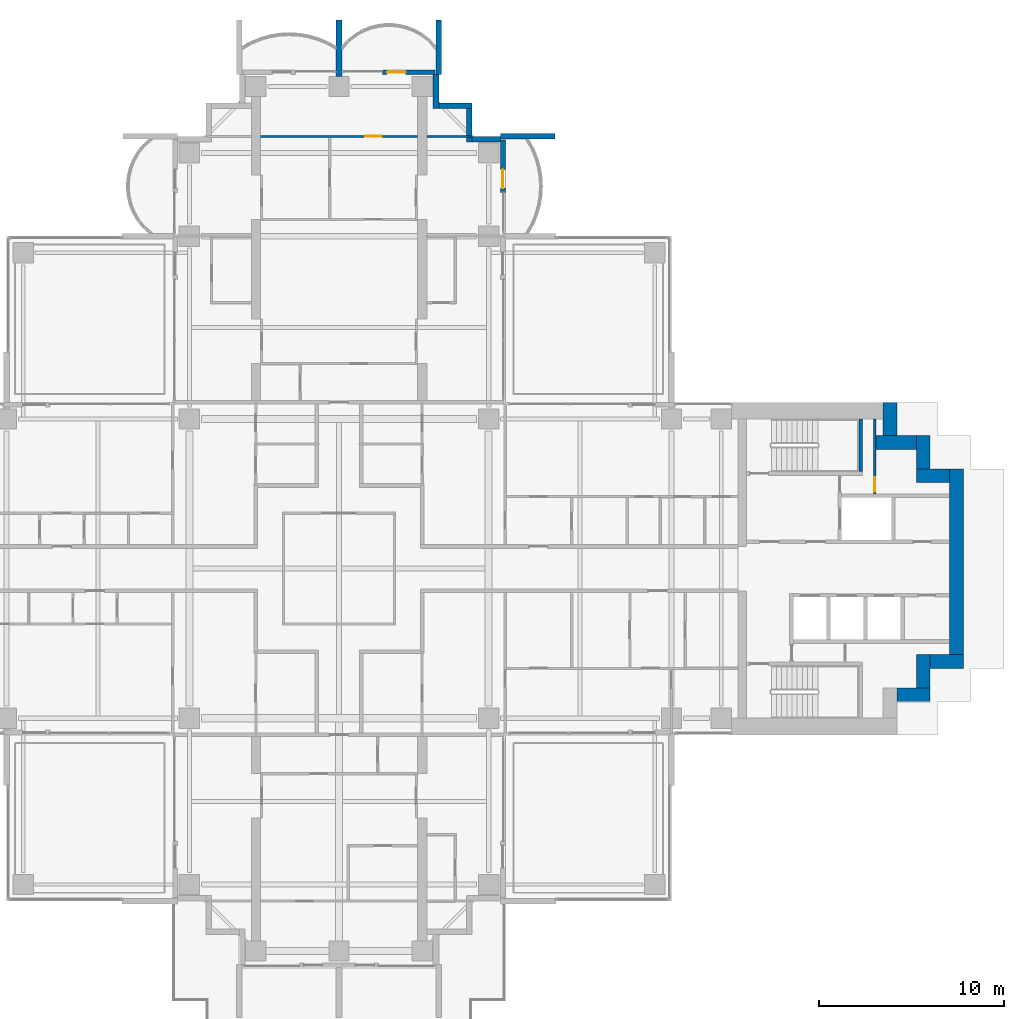
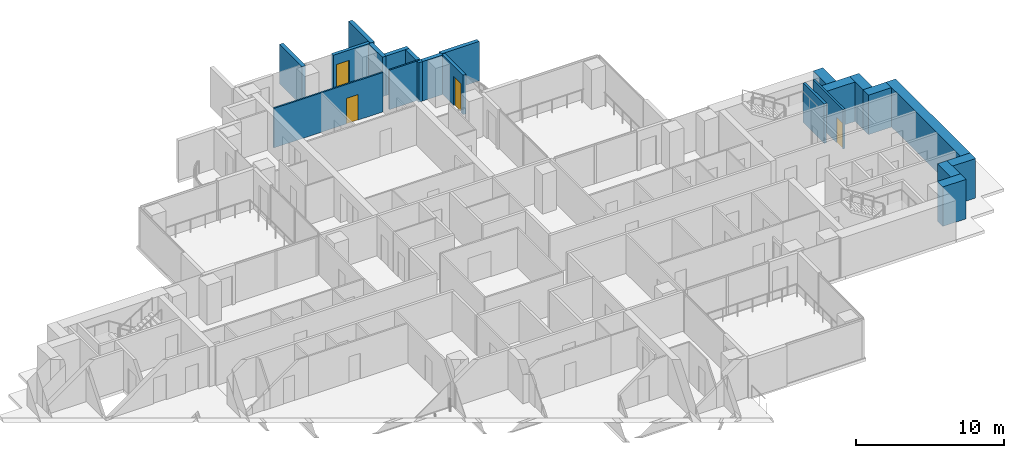
# One storey, part 16 of 20: 21 walls, 4 doors, 4 openings.
"""IFC4 building model written with IfcOpenShell, lengths in metres."""

from ifc_helpers import new_model, si_unit, direction, frame, frame_2d, origin, place, context, subcontext, project, spatial, rectangle, extrude, material, layer, layer_set, type_object, element, fill, save


model = new_model("IFC4")

# Units and contexts
model_context = context("Model", 3, precision=1e-05, world=origin(), true_north=direction((0.0, 1.0)))
body_context = subcontext(model_context, "Body", "Model", "MODEL_VIEW")
ifc_project = project(units=[si_unit("LENGTHUNIT", "METRE"), si_unit("AREAUNIT", "SQUARE_METRE"), si_unit("VOLUMEUNIT", "CUBIC_METRE"), si_unit("PLANEANGLEUNIT", "RADIAN"), si_unit("MASSUNIT", "GRAM", prefix="KILO")], contexts=[model_context])

# Site, building, storey
site_placement = place(None, origin())
site = spatial("IfcSite", under=ifc_project, at=site_placement, CompositionType="ELEMENT")
building_placement = place(site_placement, origin())
building = spatial("IfcBuilding", under=site, at=building_placement, Name="Perihelion Cross Residences", CompositionType="ELEMENT")
storey_placement = place(building_placement, frame((0.0, 0.0, 102.39990234375)))
storey = spatial("IfcBuildingStorey", under=building, at=storey_placement, Name="L23", CompositionType="ELEMENT", Elevation=102.39990234375)

# Wall, opening, door
ifc_material_1 = material(Name="Concrete C30/37, bronze-clad", Category="concrete")
ifc_layer_1 = layer(ifc_material_1, 0.25)
ifc_layer_set_1 = layer_set([ifc_layer_1], Name="Bronze-clad pier wall 250")
wall_type_1 = type_object("IfcWallType", Name="Bronze-clad pier wall 250", PredefinedType="SOLIDWALL", material=ifc_layer_set_1)
wall_1_placement = place(storey_placement, frame((8.875, 20.35009765625, 0.0), z_axis=(0.0, 0.0, 1.0), x_axis=(0.0, 1.0, 0.0)))
wall_1 = element("IfcWall", 1, at=wall_1_placement, inside=storey, type_object=wall_type_1, Name="Wall FW1 L23 north side east bay 2 pier", PredefinedType="SOLIDWALL", context=body_context, shape_type="SweptSolid", body=[
    extrude(rectangle(XDim=2.849853515625, YDim=0.25, at=frame_2d((1.4248046875, 0.0))), origin(), (0.0, 0.0, 1.0), 3.25),
])
opening_1_placement = place(wall_1_placement, frame((0.25, 0.0, 0.0)))
opening_1 = element("IfcOpeningElement", 2, at=opening_1_placement, cuts=wall_1, Name="Opening L23.E03", PredefinedType="OPENING", context=body_context, shape_type="SweptSolid", body=[
    extrude(rectangle(XDim=1.0, YDim=2.39990234375, at=frame_2d((0.5, 1.199951171875))), frame((0.0, 0.135009765625, 0.0), z_axis=(0.0, -1.0, 0.0), x_axis=(1.0, 0.0, 0.0)), (0.0, 0.0, 1.0), 0.27001953125),
])
ifc_material_2 = material(Name="Bronze anodised aluminium, glazed", Category="aluminium")
door_type_1 = type_object("IfcDoorType", Name="Balcony door 1000 x 2400", OperationType="NOTDEFINED", PredefinedType="DOOR", material=ifc_material_2)
door_1_placement = place(opening_1_placement, origin())
door_1 = element("IfcDoor", 3, at=door_1_placement, inside=storey, type_object=door_type_1, Name="Door L23.E03 north side east bay 2", OperationType="SINGLE_SWING_RIGHT", OverallHeight=2.39990234375, OverallWidth=1.0, PredefinedType="DOOR", context=body_context, shape_type="SweptSolid", body=[
    extrude(rectangle(XDim=1.0, YDim=2.39990234375, at=frame_2d((0.5, 1.199951171875))), frame((0.0, 0.02490234375, 0.0), z_axis=(0.0, -1.0, 0.0), x_axis=(1.0, 0.0, 0.0)), (0.0, 0.0, 1.0), 0.050048828125),
])
fill(opening_1, door_1)

wall_2_placement = place(storey_placement, frame((5.199951171875, 26.875, 0.0), z_axis=(0.0, 0.0, 1.0), x_axis=(-1.0, 0.0, 0.0)))
wall_2 = element("IfcWall", 4, at=wall_2_placement, inside=storey, type_object=wall_type_1, Name="Wall FW1 L23 north tip north bay 1 pier", PredefinedType="SOLIDWALL", context=body_context, shape_type="SweptSolid", body=[
    extrude(rectangle(XDim=2.849853515625, YDim=0.25, at=frame_2d((1.4248046875, 0.0))), origin(), (0.0, 0.0, 1.0), 3.25),
])
opening_2_placement = place(wall_2_placement, frame((1.60009765625, 0.0, 0.0)))
opening_2 = element("IfcOpeningElement", 5, at=opening_2_placement, cuts=wall_2, Name="Opening L23.E04", PredefinedType="OPENING", context=body_context, shape_type="SweptSolid", body=[
    extrude(rectangle(XDim=1.0, YDim=2.39990234375, at=frame_2d((0.5, 1.199951171875))), frame((0.0, 0.135009765625, 0.0), z_axis=(0.0, -1.0, 0.0), x_axis=(1.0, 0.0, 0.0)), (0.0, 0.0, 1.0), 0.27001953125),
])
door_2_placement = place(opening_2_placement, origin())
door_2 = element("IfcDoor", 6, at=door_2_placement, inside=storey, type_object=door_type_1, Name="Door L23.E04 north tip north bay 1", OperationType="SINGLE_SWING_LEFT", OverallHeight=2.39990234375, OverallWidth=1.0, PredefinedType="DOOR", context=body_context, shape_type="SweptSolid", body=[
    extrude(rectangle(XDim=1.0, YDim=2.39990234375, at=frame_2d((0.5, 1.199951171875))), frame((0.0, 0.02490234375, 0.0), z_axis=(0.0, -1.0, 0.0), x_axis=(1.0, 0.0, 0.0)), (0.0, 0.0, 1.0), 0.050048828125),
])
fill(opening_2, door_2)

# Walls
ifc_material_3 = material(Name="Concrete C30/37, bronze-clad", Category="concrete")
ifc_layer_2 = layer(ifc_material_3, 0.300048828125)
ifc_layer_set_2 = layer_set([ifc_layer_2], Name="Bronze-clad serration wall 300")
wall_type_2 = type_object("IfcWallType", Name="Bronze-clad serration wall 300", PredefinedType="SOLIDWALL", material=ifc_layer_set_2)
wall_3_placement = place(storey_placement, frame((8.75, 23.25, 0.0), z_axis=(0.0, 0.0, 1.0), x_axis=(-1.0, 0.0, 0.0)))
element("IfcWall", 7, at=wall_3_placement, inside=storey, type_object=wall_type_2, Name="Wall SR1 L23 north corner north-east 1", PredefinedType="SOLIDWALL", context=body_context, shape_type="SweptSolid", body=[
    extrude(rectangle(XDim=1.550048828125, YDim=0.300048828125, at=frame_2d((0.77490234375, 0.0))), origin(), (0.0, 0.0, 1.0), 3.25),
])
wall_4_placement = place(storey_placement, frame((7.050048828125, 23.10009765625, 0.0), z_axis=(0.0, 0.0, 1.0), x_axis=(0.0, 1.0, 0.0)))
element("IfcWall", 8, at=wall_4_placement, inside=storey, type_object=wall_type_2, Name="Wall SR1 L23 north corner north-east 2", PredefinedType="SOLIDWALL", context=body_context, shape_type="SweptSolid", body=[
    extrude(rectangle(XDim=1.7998046875, YDim=0.300048828125, at=frame_2d((0.89990234375, 0.0))), origin(), (0.0, 0.0, 1.0), 3.25),
])
wall_5_placement = place(storey_placement, frame((7.199951171875, 25.050048828125, 0.0), z_axis=(0.0, 0.0, 1.0), x_axis=(-1.0, 0.0, 0.0)))
element("IfcWall", 9, at=wall_5_placement, inside=storey, type_object=wall_type_2, Name="Wall SR1 L23 north corner north-east 3", PredefinedType="SOLIDWALL", context=body_context, shape_type="SweptSolid", body=[
    extrude(rectangle(XDim=1.800048828125, YDim=0.300048828125, at=frame_2d((0.89990234375, 0.0))), origin(), (0.0, 0.0, 1.0), 3.25),
])
wall_6_placement = place(storey_placement, frame((5.25, 24.89990234375, 0.0), z_axis=(0.0, 0.0, 1.0), x_axis=(0.0, 1.0, 0.0)))
element("IfcWall", 10, at=wall_6_placement, inside=storey, type_object=wall_type_2, Name="Wall SR1 L23 north corner north-east 4", PredefinedType="SOLIDWALL", context=body_context, shape_type="SweptSolid", body=[
    extrude(rectangle(XDim=1.85009765625, YDim=0.300048828125, at=frame_2d((0.925048828125, 0.0))), origin(), (0.0, 0.0, 1.0), 3.25),
])
ifc_material_4 = material(Name="Concrete C60/75", Category="concrete")
ifc_layer_3 = layer(ifc_material_4, 0.75)
ifc_layer_set_3 = layer_set([ifc_layer_3], Name="Core wall, outer 750")
wall_type_3 = type_object("IfcWallType", Name="Core wall, outer 750", PredefinedType="SHEAR", material=ifc_layer_set_3)
for number, where, z_axis, x_axis, name in (
    (11, (30.199951171875, -6.824951171875, 0.0), (0.0, 0.0, 1.0), (1.0, 0.0, 0.0), "East core core wall, outer"),
    (12, (31.625, -6.449951171875, 0.0), (0.0, 0.0, 1.0), (0.0, 1.0, 0.0), "East core core wall, outer"),
    (13, (32.0, -5.02490234375, 0.0), (0.0, 0.0, 1.0), (1.0, 0.0, 0.0), "East core core wall, outer"),
):
    element("IfcWall", number, at=place(storey_placement, frame(where, z_axis=z_axis, x_axis=x_axis)), inside=storey, type_object=wall_type_3, Name=name, PredefinedType="SHEAR", context=body_context, shape_type="SweptSolid", body=[
        extrude(rectangle(XDim=1.800048828125, YDim=0.75, at=frame_2d((0.89990234375, 0.0))), origin(), (0.0, 0.0, 1.0), 3.25),
    ])
wall_7_placement = place(storey_placement, frame((33.425048828125, -4.64990234375, 0.0), z_axis=(0.0, 0.0, 1.0), x_axis=(0.0, 1.0, 0.0)))
element("IfcWall", 14, at=wall_7_placement, inside=storey, type_object=wall_type_3, Name="East core core wall, outer", PredefinedType="SHEAR", context=body_context, shape_type="SweptSolid", body=[
    extrude(rectangle(XDim=10.0498046875, YDim=0.75, at=frame_2d((5.02490234375, 0.0))), origin(), (0.0, 0.0, 1.0), 3.25),
])
for number, where, z_axis, x_axis, name in (
    (15, (31.25, 5.02490234375, 0.0), (0.0, 0.0, 1.0), (1.0, 0.0, 0.0), "East core core wall, outer"),
    (16, (31.625, 5.39990234375, 0.0), (0.0, 0.0, 1.0), (0.0, 1.0, 0.0), "East core core wall, outer"),
):
    element("IfcWall", number, at=place(storey_placement, frame(where, z_axis=z_axis, x_axis=x_axis)), inside=storey, type_object=wall_type_3, Name=name, PredefinedType="SHEAR", context=body_context, shape_type="SweptSolid", body=[
        extrude(rectangle(XDim=1.800048828125, YDim=0.75, at=frame_2d((0.89990234375, 0.0))), origin(), (0.0, 0.0, 1.0), 3.25),
    ])
wall_8_placement = place(storey_placement, frame((29.074951171875, 6.824951171875, 0.0), z_axis=(0.0, 0.0, 1.0), x_axis=(1.0, 0.0, 0.0)))
element("IfcWall", 17, at=wall_8_placement, inside=storey, type_object=wall_type_3, Name="East core core wall, outer", PredefinedType="SHEAR", context=body_context, shape_type="SweptSolid", body=[
    extrude(rectangle(XDim=2.175048828125, YDim=0.75, at=frame_2d((1.08740234375, 0.0))), origin(), (0.0, 0.0, 1.0), 3.25),
])
wall_9_placement = place(storey_placement, frame((29.824951171875, 7.199951171875, 0.0), z_axis=(0.0, 0.0, 1.0), x_axis=(0.0, 1.0, 0.0)))
element("IfcWall", 18, at=wall_9_placement, inside=storey, type_object=wall_type_3, Name="East core core wall, outer", PredefinedType="SHEAR", context=body_context, shape_type="SweptSolid", body=[
    extrude(rectangle(XDim=1.800048828125, YDim=0.75, at=frame_2d((0.89990234375, 0.0))), origin(), (0.0, 0.0, 1.0), 3.25),
])

# Wall, opening, door
ifc_material_5 = material(Name="Plasterboard partition")
ifc_layer_4 = layer(ifc_material_5, 0.1201171875)
ifc_layer_set_4 = layer_set([ifc_layer_4], Name="Partition wall 120")
wall_type_4 = type_object("IfcWallType", Name="Partition wall 120", PredefinedType="PARTITIONING", material=ifc_layer_set_4)
wall_10_placement = place(storey_placement, frame((-4.25, 23.39990234375, 0.0), z_axis=(0.0, 0.0, 1.0), x_axis=(1.0, 0.0, 0.0)))
wall_10 = element("IfcWall", 19, at=wall_10_placement, inside=storey, type_object=wall_type_4, Name="Partition L23 W067", PredefinedType="PARTITIONING", context=body_context, shape_type="SweptSolid", body=[
    extrude(rectangle(XDim=8.5, YDim=0.1201171875, at=frame_2d((4.25, 0.0))), origin(), (0.0, 0.0, 1.0), 3.25),
])
opening_3_placement = place(wall_10_placement, frame((5.675048828125, 0.0, 0.0)))
opening_3 = element("IfcOpeningElement", 20, at=opening_3_placement, cuts=wall_10, Name="Opening L23.A37", PredefinedType="OPENING", context=body_context, shape_type="SweptSolid", body=[
    extrude(rectangle(XDim=0.89990234375, YDim=2.10009765625, at=frame_2d((0.449951171875, 1.050048828125))), frame((0.0, 0.070068359375, 0.0), z_axis=(0.0, -1.0, 0.0), x_axis=(1.0, 0.0, 0.0)), (0.0, 0.0, 1.0), 0.14013671875),
])
ifc_material_6 = material(Name="Timber door leaf", Category="wood")
door_type_2 = type_object("IfcDoorType", Name="Interior room door 900 x 2100", OperationType="SINGLE_SWING_LEFT", PredefinedType="DOOR", material=ifc_material_6)
door_3_placement = place(opening_3_placement, origin())
door_3 = element("IfcDoor", 21, at=door_3_placement, inside=storey, type_object=door_type_2, Name="Door L23.A37", OperationType="SINGLE_SWING_LEFT", OverallHeight=2.10009765625, OverallWidth=0.89990234375, PredefinedType="DOOR", context=body_context, shape_type="SweptSolid", body=[
    extrude(rectangle(XDim=0.89990234375, YDim=2.10009765625, at=frame_2d((0.449951171875, 1.050048828125))), frame((0.0, 0.02490234375, 0.0), z_axis=(0.0, -1.0, 0.0), x_axis=(1.0, 0.0, 0.0)), (0.0, 0.0, 1.0), 0.050048828125),
])
fill(opening_3, door_3)

# Walls
wall_11_placement = place(storey_placement, frame((4.75, 23.39990234375, 0.0), z_axis=(0.0, 0.0, 1.0), x_axis=(1.0, 0.0, 0.0)))
element("IfcWall", 22, at=wall_11_placement, inside=storey, type_object=wall_type_4, Name="Partition L23 W072", PredefinedType="PARTITIONING", context=body_context, shape_type="SweptSolid", body=[
    extrude(rectangle(XDim=2.3701171875, YDim=0.1201171875, at=frame_2d((1.18505859375, 0.0))), origin(), (0.0, 0.0, 1.0), 3.25),
])
ifc_material_7 = material(Name="Precast concrete C50/60", Category="concrete")
ifc_layer_5 = layer(ifc_material_7, 0.300048828125)
ifc_layer_set_5 = layer_set([ifc_layer_5], Name="Precast concrete C50/60 blade wall 300")
wall_type_5 = type_object("IfcWallType", Name="Precast concrete C50/60 blade wall 300", PredefinedType="SOLIDWALL", material=ifc_layer_set_5)
wall_12_placement = place(storey_placement, frame((0.0, 26.64990234375, 0.0), z_axis=(0.0, 0.0, 1.0), x_axis=(0.0, 1.0, 0.0)))
element("IfcWall", 23, at=wall_12_placement, inside=storey, type_object=wall_type_5, Name="Wall BL1 L23 no. 9", PredefinedType="SOLIDWALL", context=body_context, shape_type="SweptSolid", body=[
    extrude(rectangle(XDim=3.050048828125, YDim=0.300048828125, at=frame_2d((1.52490234375, 0.0))), origin(), (0.0, 0.0, 1.0), 3.25),
])
for number, where, z_axis, x_axis, name in (
    (24, (5.39990234375, 26.75, 0.0), (0.0, 0.0, 1.0), (0.0, 1.0, 0.0), "Wall BL1 L23 no. 13"),
    (25, (8.75, 23.39990234375, 0.0), (0.0, 0.0, 1.0), (1.0, 0.0, 0.0), "Wall BL1 L23 no. 16"),
):
    element("IfcWall", number, at=place(storey_placement, frame(where, z_axis=z_axis, x_axis=x_axis)), inside=storey, type_object=wall_type_5, Name=name, PredefinedType="SOLIDWALL", context=body_context, shape_type="SweptSolid", body=[
        extrude(rectangle(XDim=2.949951171875, YDim=0.300048828125, at=frame_2d((1.47509765625, 0.0))), origin(), (0.0, 0.0, 1.0), 3.25),
    ])

# Wall, opening, door
ifc_material_8 = material(Name="Fire-rated board on steel stud", Category="steel")
ifc_layer_6 = layer(ifc_material_8, 0.14990234375)
ifc_layer_set_6 = layer_set([ifc_layer_6], Name="Riser wall 150")
wall_type_6 = type_object("IfcWallType", Name="Riser wall 150", PredefinedType="PARTITIONING", material=ifc_layer_set_6)
wall_13_placement = place(storey_placement, frame((29.0, 4.050048828125, 0.0), z_axis=(0.0, 0.0, 1.0), x_axis=(0.0, 1.0, 0.0)))
wall_13 = element("IfcWall", 26, at=wall_13_placement, inside=storey, type_object=wall_type_6, Name="East core riser wall", PredefinedType="PARTITIONING", context=body_context, shape_type="SweptSolid", body=[
    extrude(rectangle(XDim=4.050048828125, YDim=0.14990234375, at=frame_2d((2.02490234375, 0.0))), origin(), (0.0, 0.0, 1.0), 3.25),
])
opening_4_placement = place(wall_13_placement, frame((0.10009765625, 0.0, 0.0)))
opening_4 = element("IfcOpeningElement", 27, at=opening_4_placement, cuts=wall_13, Name="Opening L23.C12", PredefinedType="OPENING", context=body_context, shape_type="SweptSolid", body=[
    extrude(rectangle(XDim=0.800048828125, YDim=2.10009765625, at=frame_2d((0.39990234375, 1.050048828125))), frame((0.0, 0.0849609375, 0.0), z_axis=(0.0, -1.0, 0.0), x_axis=(1.0, 0.0, 0.0)), (0.0, 0.0, 1.0), 0.169921875),
])
ifc_material_9 = material(Name="Steel, powder coated", Category="steel")
door_type_3 = type_object("IfcDoorType", Name="Riser door 800", OperationType="SINGLE_SWING_LEFT", PredefinedType="DOOR", material=ifc_material_9)
door_4_placement = place(opening_4_placement, origin())
door_4 = element("IfcDoor", 28, at=door_4_placement, inside=storey, type_object=door_type_3, Name="East core riser door", OperationType="SINGLE_SWING_LEFT", OverallHeight=2.10009765625, OverallWidth=0.800048828125, PredefinedType="DOOR", context=body_context, shape_type="SweptSolid", body=[
    extrude(rectangle(XDim=0.800048828125, YDim=2.10009765625, at=frame_2d((0.39990234375, 1.050048828125))), frame((0.0, 0.02490234375, 0.0), z_axis=(0.0, -1.0, 0.0), x_axis=(1.0, 0.0, 0.0)), (0.0, 0.0, 1.0), 0.050048828125),
])
fill(opening_4, door_4)

# Wall
ifc_material_10 = material(Name="Concrete C50/60", Category="concrete")
ifc_layer_7 = layer(ifc_material_10, 0.199951171875)
ifc_layer_set_7 = layer_set([ifc_layer_7], Name="Stair wall 200")
wall_type_7 = type_object("IfcWallType", Name="Stair wall 200", PredefinedType="SOLIDWALL", material=ifc_layer_set_7)
wall_14_placement = place(storey_placement, frame((28.25, 5.25, 0.0), z_axis=(0.0, 0.0, 1.0), x_axis=(0.0, 1.0, 0.0)))
element("IfcWall", 29, at=wall_14_placement, inside=storey, type_object=wall_type_7, Name="East core stair wall", PredefinedType="SOLIDWALL", context=body_context, shape_type="SweptSolid", body=[
    extrude(rectangle(XDim=2.85009765625, YDim=0.199951171875, at=frame_2d((1.425048828125, 0.0))), origin(), (0.0, 0.0, 1.0), 3.25),
])

save(model, "model.ifc")
